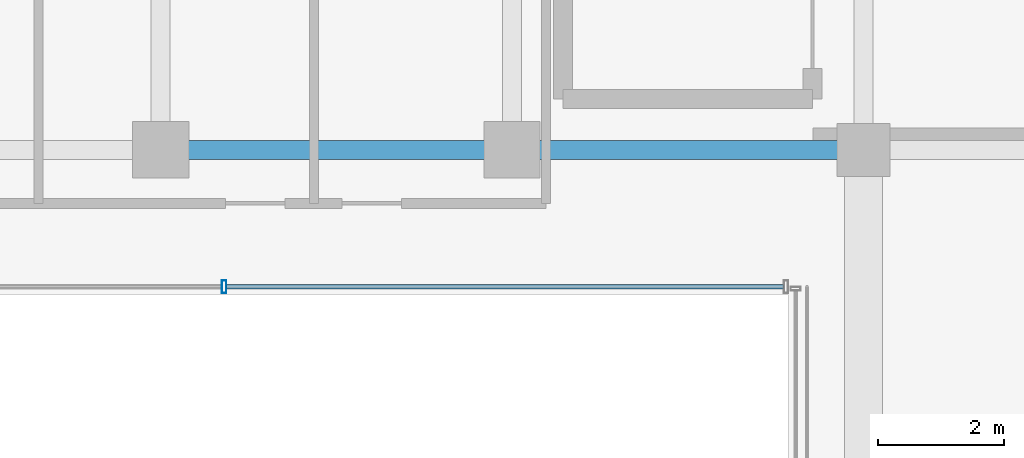
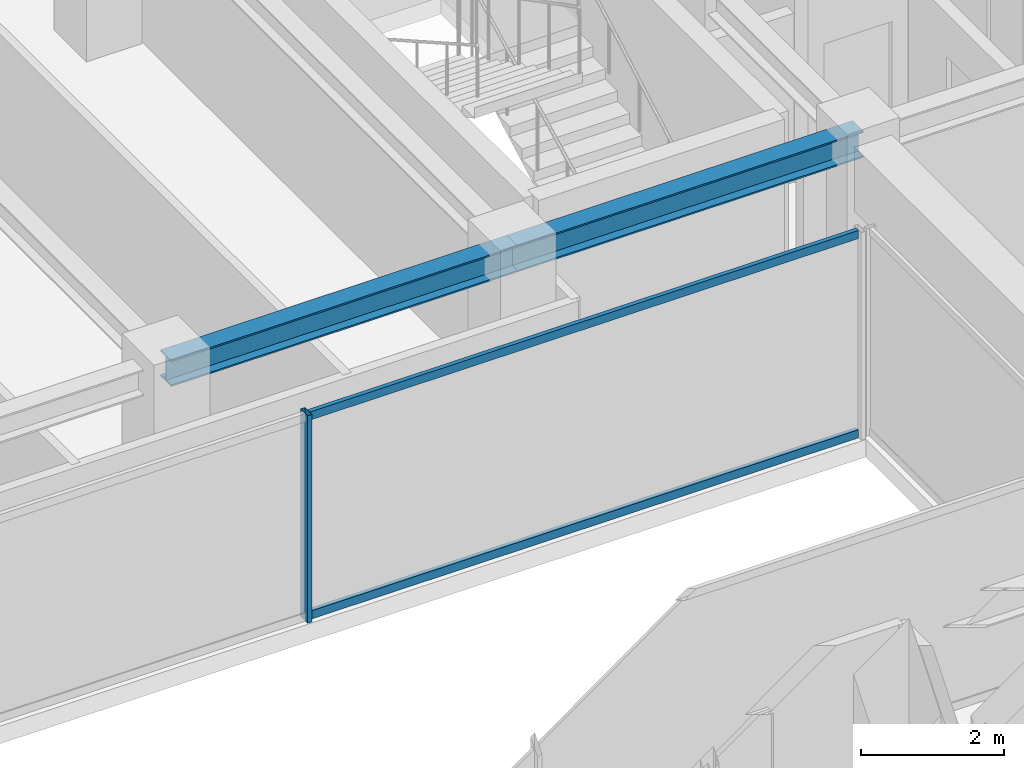
# One storey, part 13 of 37: 3 members, 2 beams, 1 element without a shape of its own.
"""IFC4 building model written with IfcOpenShell, lengths in metres."""

from ifc_helpers import new_model, si_unit, direction, frame, origin, origin_2d, place, context, subcontext, project, spatial, hollow_rectangle, i_section, extrude, source, transform, mapped, material, material_profile, profile_set, type_object, element, aggregate, save


model = new_model("IFC4")

# Units and contexts
model_context = context("Model", 3, precision=1e-05, world=origin(), true_north=direction((0.0, 1.0)))
body_context = subcontext(model_context, "Body", "Model", "MODEL_VIEW")
ifc_project = project(units=[si_unit("LENGTHUNIT", "METRE"), si_unit("AREAUNIT", "SQUARE_METRE"), si_unit("VOLUMEUNIT", "CUBIC_METRE"), si_unit("PLANEANGLEUNIT", "RADIAN"), si_unit("MASSUNIT", "GRAM", prefix="KILO")], contexts=[model_context])

# Site, building, storey
site_placement = place(None, origin())
site = spatial("IfcSite", under=ifc_project, at=site_placement, CompositionType="ELEMENT")
building_placement = place(site_placement, origin())
building = spatial("IfcBuilding", under=site, at=building_placement, Name="Nahalor Promenade Grand Hotel", CompositionType="ELEMENT")
storey_placement = place(building_placement, frame((0.0, 0.0, 308.050048828125)))
storey = spatial("IfcBuildingStorey", under=building, at=storey_placement, Name="L79", CompositionType="ELEMENT", Elevation=308.050048828125)

# Beams
ifc_material_1 = material(Name="Steel S355JR", Category="steel")
ifc_material_profile_1 = material_profile(ifc_material_1, i_section(OverallWidth=0.3, OverallDepth=0.45, WebThickness=0.014, FlangeThickness=0.026, at=origin_2d()), Name="HEB 450")
ifc_profile_set_1 = profile_set([ifc_material_profile_1], Name="Steel S355JR")
beam_type = type_object("IfcBeamType", Name="Beam-Girder-HEB450", PredefinedType="BEAM", material=ifc_profile_set_1)
shared_shape_1 = source(origin(), body_context, "Body", "SweptSolid", [
    extrude(i_section(OverallWidth=0.3, OverallDepth=0.45, WebThickness=0.014, FlangeThickness=0.026, at=origin_2d()), origin(), (0.0, 0.0, 1.0), 5.599853515625),
])
beam_1_placement = place(storey_placement, frame((2.800048828125, 5.39990234375, 3.324951171875), z_axis=(1.0, 0.0, 0.0), x_axis=(0.0, 1.0, 0.0)))
element("IfcBeam", 1, at=beam_1_placement, inside=storey, type_object=beam_type, Name="BM-L79-GX-2-4", PredefinedType="BEAM", context=body_context, shape_type="MappedRepresentation", body=[
    mapped(shared_shape_1, transform((0.0, 0.0, 0.0), scale=1.0)),
])
shared_shape_2 = source(origin(), body_context, "Body", "SweptSolid", [
    extrude(i_section(OverallWidth=0.3, OverallDepth=0.45, WebThickness=0.014, FlangeThickness=0.026, at=origin_2d()), origin(), (0.0, 0.0, 1.0), 5.60009765625),
])
beam_2_placement = place(storey_placement, frame((-2.800048828125, 5.39990234375, 3.324951171875), z_axis=(1.0, 0.0, 0.0), x_axis=(0.0, 1.0, 0.0)))
element("IfcBeam", 2, at=beam_2_placement, inside=storey, type_object=beam_type, Name="BM-L79-GX-2-3", PredefinedType="BEAM", context=body_context, shape_type="MappedRepresentation", body=[
    mapped(shared_shape_2, transform((0.0, 0.0, 0.0), scale=1.0)),
])

# Curtain wall, members
ifc_material_2 = material(Name="Anodised Bronze Aluminium EN AW-6063 T6", Category="aluminium")
curtain_wall_type = type_object("IfcCurtainWallType", Name="CW3 Elliptical-Void Collar Unitised Curtain Wall", PredefinedType="USERDEFINED", material=ifc_material_2)
curtain_wall_placement = place(storey_placement, origin())
curtain_wall = element("IfcCurtainWall", 3, at=curtain_wall_placement, inside=storey, type_object=curtain_wall_type, Name="L79 Curtain Wall CW-L79-VOID-WN1", ObjectType="UNITISED_CURTAIN_WALL", PredefinedType="USERDEFINED")
ifc_material_profile_2 = material_profile(ifc_material_2, hollow_rectangle(XDim=0.07, YDim=0.14, WallThickness=0.004, at=origin_2d()), Name="CWT 70x140x4")
ifc_profile_set_2 = profile_set([ifc_material_profile_2], Name="Anodised Bronze Aluminium EN AW-6063 T6")
member_type_1 = type_object("IfcMemberType", Name="CWT3 Void Collar Transom 70x140", PredefinedType="USERDEFINED", material=ifc_profile_set_2)
shared_shape_3 = source(origin(), body_context, "Body", "SweptSolid", [
    extrude(hollow_rectangle(XDim=0.07, YDim=0.14, WallThickness=0.004, at=origin_2d()), origin(), (0.0, 0.0, 1.0), 8.881591796875),
])
member_1_placement = place(storey_placement, frame((-1.751708984375, 3.219970703125, 0.070068359375), z_axis=(1.0, 0.0, 0.0), x_axis=(0.0, 1.0, 0.0)))
member_1 = element("IfcMember", 4, at=member_1_placement, type_object=member_type_1, Name="CW-L79-VOID-WN1 Transom 2-0", ObjectType="TRANSOM", PredefinedType="USERDEFINED", context=body_context, shape_type="MappedRepresentation", body=[
    mapped(shared_shape_3, transform((0.0, 0.0, 0.0), scale=1.0)),
])
member_2_placement = place(storey_placement, frame((-1.751708984375, 3.219970703125, 3.47998046875), z_axis=(1.0, 0.0, 0.0), x_axis=(0.0, 1.0, 0.0)))
member_2 = element("IfcMember", 5, at=member_2_placement, type_object=member_type_1, Name="CW-L79-VOID-WN1 Transom 2-1", ObjectType="TRANSOM", PredefinedType="USERDEFINED", context=body_context, shape_type="MappedRepresentation", body=[
    mapped(shared_shape_3, transform((0.0, 0.0, 0.0), scale=1.0)),
])
ifc_material_profile_3 = material_profile(ifc_material_2, hollow_rectangle(XDim=0.07, YDim=0.2, WallThickness=0.005, at=origin_2d()), Name="CWM 70x200x5")
ifc_profile_set_3 = profile_set([ifc_material_profile_3], Name="Anodised Bronze Aluminium EN AW-6063 T6")
member_type_2 = type_object("IfcMemberType", Name="CWM3 Void Collar Mullion 70x200", PredefinedType="MULLION", material=ifc_profile_set_3)
shared_shape_4 = source(origin(), body_context, "Body", "SweptSolid", [
    extrude(hollow_rectangle(XDim=0.07, YDim=0.2, WallThickness=0.005, at=origin_2d()), origin(), (0.0, 0.0, 1.0), 3.550048828125),
])
member_3_placement = place(storey_placement, frame((-1.78662109375, 3.219970703125, 0.0), z_axis=(0.0, 0.0, 1.0), x_axis=(1.0, 0.0, 0.0)))
member_3 = element("IfcMember", 6, at=member_3_placement, type_object=member_type_2, Name="CW-L79-VOID-WN1 Mullion 2", PredefinedType="MULLION", context=body_context, shape_type="MappedRepresentation", body=[
    mapped(shared_shape_4, transform((0.0, 0.0, 0.0), scale=1.0)),
])
aggregate(curtain_wall, [member_3, member_1, member_2])

save(model, "model.ifc")
